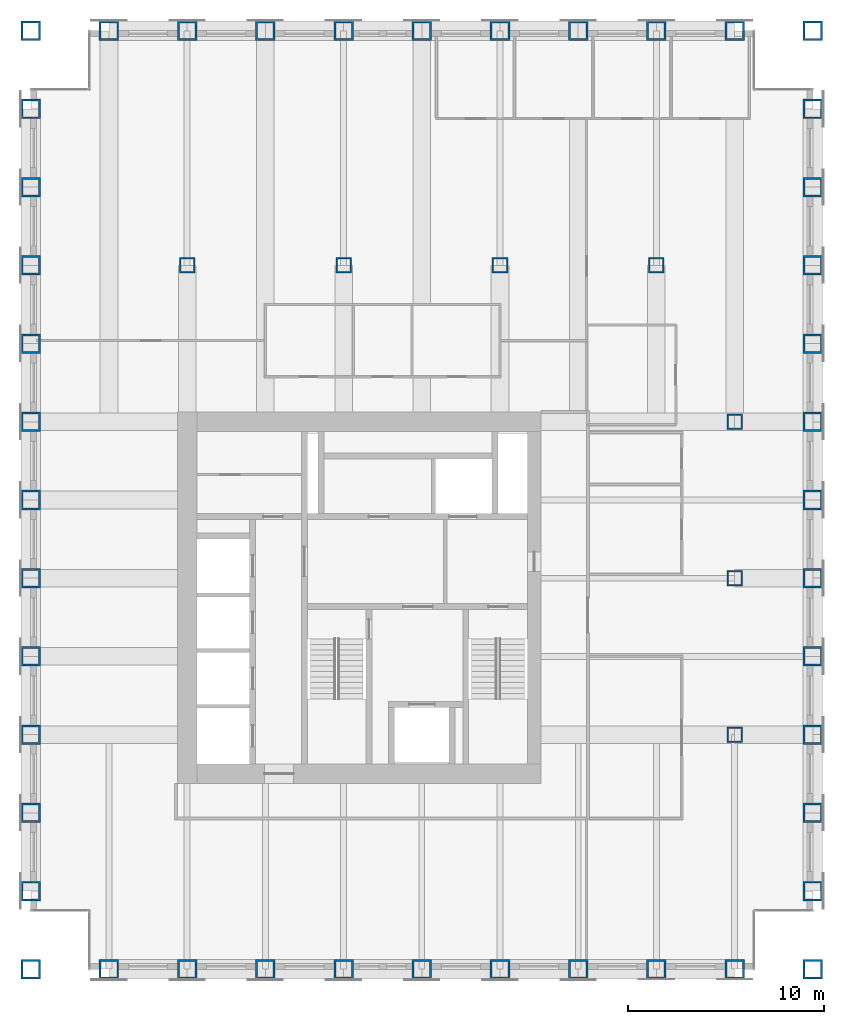
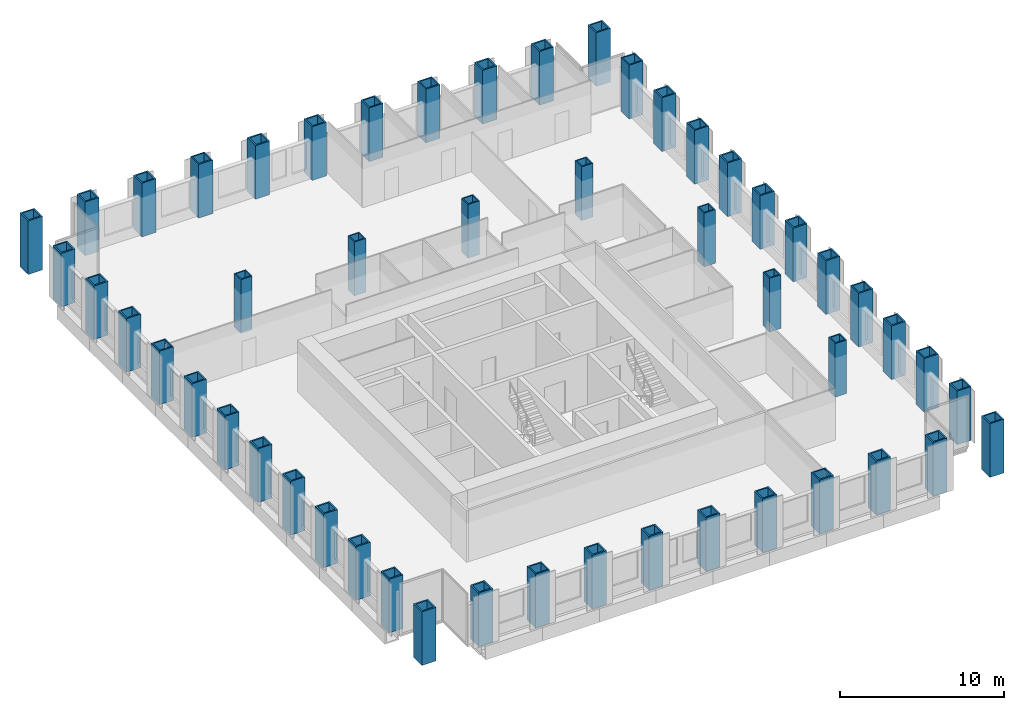
# One storey, part 1 of 13: 51 columns.
"""IFC4 building model written with IfcOpenShell, lengths in metres."""

from ifc_helpers import new_model, si_unit, direction, frame, origin, origin_2d, place, context, subcontext, project, spatial, hollow_rectangle, extrude, material, material_profile, profile_set, type_object, element, save


model = new_model("IFC4")

# Units and contexts
model_context = context("Model", 3, precision=1e-05, world=origin(), true_north=direction((0.0, 1.0)))
body_context = subcontext(model_context, "Body", "Model", "MODEL_VIEW")
ifc_project = project(units=[si_unit("LENGTHUNIT", "METRE"), si_unit("AREAUNIT", "SQUARE_METRE"), si_unit("VOLUMEUNIT", "CUBIC_METRE"), si_unit("PLANEANGLEUNIT", "RADIAN"), si_unit("MASSUNIT", "GRAM", prefix="KILO")], contexts=[model_context])

# Site, building, storey
site_placement = place(None, origin())
site = spatial("IfcSite", under=ifc_project, at=site_placement, CompositionType="ELEMENT")
building_placement = place(site_placement, origin())
building = spatial("IfcBuilding", under=site, at=building_placement, Name="Rimbunsela Tower", CompositionType="ELEMENT")
storey_placement = place(building_placement, frame((0.0, 0.0, 214.199951171875)))
storey = spatial("IfcBuildingStorey", under=building, at=storey_placement, Name="L51", CompositionType="ELEMENT", Elevation=214.199951171875)

# Columns
ifc_material_1 = material(Name="Steel BJ 55 (fy 410 MPa)", Category="steel")
ifc_material_profile_1 = material_profile(ifc_material_1, hollow_rectangle(XDim=1.0, YDim=1.0, WallThickness=0.10009765625, at=origin_2d()), Name="BOX 1000x1000x100")
ifc_profile_set_1 = profile_set([ifc_material_profile_1], Name="Steel BJ 55 (fy 410 MPa)")
column_type_1 = type_object("IfcColumnType", Name="Column BOX 1000x1000x100", PredefinedType="COLUMN", material=ifc_profile_set_1)
for number, where, z_axis, x_axis, name in (
    (1, (10.0, 8.0, 0.0), (0.0, 0.0, 1.0), (1.0, 0.0, 0.0), "Column C1 5/D L51"),
    (2, (10.0, 12.0, 0.0), (0.0, 0.0, 1.0), (1.0, 0.0, 0.0), "Column C1 5/E L51"),
    (3, (10.0, 16.0, 0.0), (0.0, 0.0, 1.0), (1.0, 0.0, 0.0), "Column C1 5/F L51"),
    (4, (10.0, 20.0, 0.0), (0.0, 0.0, 1.0), (1.0, 0.0, 0.0), "Column C1 5/G L51"),
    (5, (10.0, 24.0, 0.0), (0.0, 0.0, 1.0), (1.0, 0.0, 0.0), "Column C1 5/H L51"),
    (6, (10.0, 28.0, 0.0), (0.0, 0.0, 1.0), (1.0, 0.0, 0.0), "Column C1 5/J L51"),
    (7, (10.0, 32.0, 0.0), (0.0, 0.0, 1.0), (1.0, 0.0, 0.0), "Column C1 5/K L51"),
    (8, (10.0, 36.0, 0.0), (0.0, 0.0, 1.0), (1.0, 0.0, 0.0), "Column C1 5/L L51"),
    (9, (10.0, 40.0, 0.0), (0.0, 0.0, 1.0), (1.0, 0.0, 0.0), "Column C1 5/M L51"),
    (10, (10.0, 44.0, 0.0), (0.0, 0.0, 1.0), (1.0, 0.0, 0.0), "Column C1 5/N L51"),
    (11, (10.0, 48.0, 0.0), (0.0, 0.0, 1.0), (1.0, 0.0, 0.0), "Column C1 5/P L51"),
    (12, (10.0, 52.0, 0.0), (0.0, 0.0, 1.0), (1.0, 0.0, 0.0), "Column C1 5/Q L51"),
    (13, (10.0, 56.0, 0.0), (0.0, 0.0, 1.0), (1.0, 0.0, 0.0), "Column C1 5/R L51"),
    (14, (14.0, 8.0, 0.0), (0.0, 0.0, 1.0), (1.0, 0.0, 0.0), "Column C1 6/D L51"),
    (15, (14.0, 56.0, 0.0), (0.0, 0.0, 1.0), (1.0, 0.0, 0.0), "Column C1 6/R L51"),
    (16, (18.0, 8.0, 0.0), (0.0, 0.0, 1.0), (1.0, 0.0, 0.0), "Column C1 7/D L51"),
    (17, (18.0, 56.0, 0.0), (0.0, 0.0, 1.0), (1.0, 0.0, 0.0), "Column C1 7/R L51"),
    (18, (22.0, 8.0, 0.0), (0.0, 0.0, 1.0), (1.0, 0.0, 0.0), "Column C1 8/D L51"),
    (19, (22.0, 56.0, 0.0), (0.0, 0.0, 1.0), (1.0, 0.0, 0.0), "Column C1 8/R L51"),
    (20, (26.0, 8.0, 0.0), (0.0, 0.0, 1.0), (1.0, 0.0, 0.0), "Column C1 9/D L51"),
    (21, (26.0, 56.0, 0.0), (0.0, 0.0, 1.0), (1.0, 0.0, 0.0), "Column C1 9/R L51"),
    (22, (30.0, 8.0, 0.0), (0.0, 0.0, 1.0), (1.0, 0.0, 0.0), "Column C1 10/D L51"),
    (23, (30.0, 56.0, 0.0), (0.0, 0.0, 1.0), (1.0, 0.0, 0.0), "Column C1 10/R L51"),
    (24, (34.0, 8.0, 0.0), (0.0, 0.0, 1.0), (1.0, 0.0, 0.0), "Column C1 11/D L51"),
    (25, (34.0, 56.0, 0.0), (0.0, 0.0, 1.0), (1.0, 0.0, 0.0), "Column C1 11/R L51"),
    (26, (38.0, 8.0, 0.0), (0.0, 0.0, 1.0), (1.0, 0.0, 0.0), "Column C1 12/D L51"),
    (27, (38.0, 56.0, 0.0), (0.0, 0.0, 1.0), (1.0, 0.0, 0.0), "Column C1 12/R L51"),
    (28, (42.0, 8.0, 0.0), (0.0, 0.0, 1.0), (1.0, 0.0, 0.0), "Column C1 13/D L51"),
    (29, (42.0, 56.0, 0.0), (0.0, 0.0, 1.0), (1.0, 0.0, 0.0), "Column C1 13/R L51"),
    (30, (46.0, 8.0, 0.0), (0.0, 0.0, 1.0), (1.0, 0.0, 0.0), "Column C1 14/D L51"),
    (31, (46.0, 56.0, 0.0), (0.0, 0.0, 1.0), (1.0, 0.0, 0.0), "Column C1 14/R L51"),
    (32, (50.0, 8.0, 0.0), (0.0, 0.0, 1.0), (1.0, 0.0, 0.0), "Column C1 15/D L51"),
    (33, (50.0, 12.0, 0.0), (0.0, 0.0, 1.0), (1.0, 0.0, 0.0), "Column C1 15/E L51"),
    (34, (50.0, 16.0, 0.0), (0.0, 0.0, 1.0), (1.0, 0.0, 0.0), "Column C1 15/F L51"),
    (35, (50.0, 20.0, 0.0), (0.0, 0.0, 1.0), (1.0, 0.0, 0.0), "Column C1 15/G L51"),
    (36, (50.0, 24.0, 0.0), (0.0, 0.0, 1.0), (1.0, 0.0, 0.0), "Column C1 15/H L51"),
    (37, (50.0, 28.0, 0.0), (0.0, 0.0, 1.0), (1.0, 0.0, 0.0), "Column C1 15/J L51"),
    (38, (50.0, 32.0, 0.0), (0.0, 0.0, 1.0), (1.0, 0.0, 0.0), "Column C1 15/K L51"),
    (39, (50.0, 36.0, 0.0), (0.0, 0.0, 1.0), (1.0, 0.0, 0.0), "Column C1 15/L L51"),
    (40, (50.0, 40.0, 0.0), (0.0, 0.0, 1.0), (1.0, 0.0, 0.0), "Column C1 15/M L51"),
    (41, (50.0, 44.0, 0.0), (0.0, 0.0, 1.0), (1.0, 0.0, 0.0), "Column C1 15/N L51"),
    (42, (50.0, 48.0, 0.0), (0.0, 0.0, 1.0), (1.0, 0.0, 0.0), "Column C1 15/P L51"),
    (43, (50.0, 52.0, 0.0), (0.0, 0.0, 1.0), (1.0, 0.0, 0.0), "Column C1 15/Q L51"),
    (44, (50.0, 56.0, 0.0), (0.0, 0.0, 1.0), (1.0, 0.0, 0.0), "Column C1 15/R L51"),
):
    element("IfcColumn", number, at=place(storey_placement, frame(where, z_axis=z_axis, x_axis=x_axis)), inside=storey, type_object=column_type_1, Name=name, PredefinedType="COLUMN", context=body_context, shape_type="SweptSolid", body=[
        extrude(hollow_rectangle(XDim=1.0, YDim=1.0, WallThickness=0.10009765625, at=origin_2d()), origin(), (0.0, 0.0, 1.0), 4.0),
    ])
ifc_material_2 = material(Name="Steel BJ 55 (fy 410 MPa)", Category="steel")
ifc_material_profile_2 = material_profile(ifc_material_2, hollow_rectangle(XDim=0.800048828125, YDim=0.800048828125, WallThickness=0.080078125, at=origin_2d()), Name="BOX 800x800x80")
ifc_profile_set_2 = profile_set([ifc_material_profile_2], Name="Steel BJ 55 (fy 410 MPa)")
column_type_2 = type_object("IfcColumnType", Name="Column BOX 800x800x80", PredefinedType="COLUMN", material=ifc_profile_set_2)
for number, where, z_axis, x_axis, name in (
    (45, (18.0, 44.0, 0.0), (0.0, 0.0, 1.0), (1.0, 0.0, 0.0), "Column C2 7/N L51"),
    (46, (26.0, 44.0, 0.0), (0.0, 0.0, 1.0), (1.0, 0.0, 0.0), "Column C2 9/N L51"),
    (47, (34.0, 44.0, 0.0), (0.0, 0.0, 1.0), (1.0, 0.0, 0.0), "Column C2 11/N L51"),
    (48, (42.0, 44.0, 0.0), (0.0, 0.0, 1.0), (1.0, 0.0, 0.0), "Column C2 13/N L51"),
    (49, (46.0, 20.0, 0.0), (0.0, 0.0, 1.0), (1.0, 0.0, 0.0), "Column C2 14/G L51"),
    (50, (46.0, 28.0, 0.0), (0.0, 0.0, 1.0), (1.0, 0.0, 0.0), "Column C2 14/J L51"),
    (51, (46.0, 36.0, 0.0), (0.0, 0.0, 1.0), (1.0, 0.0, 0.0), "Column C2 14/L L51"),
):
    element("IfcColumn", number, at=place(storey_placement, frame(where, z_axis=z_axis, x_axis=x_axis)), inside=storey, type_object=column_type_2, Name=name, PredefinedType="COLUMN", context=body_context, shape_type="SweptSolid", body=[
        extrude(hollow_rectangle(XDim=0.800048828125, YDim=0.800048828125, WallThickness=0.080078125, at=origin_2d()), origin(), (0.0, 0.0, 1.0), 4.0),
    ])

save(model, "model.ifc")
